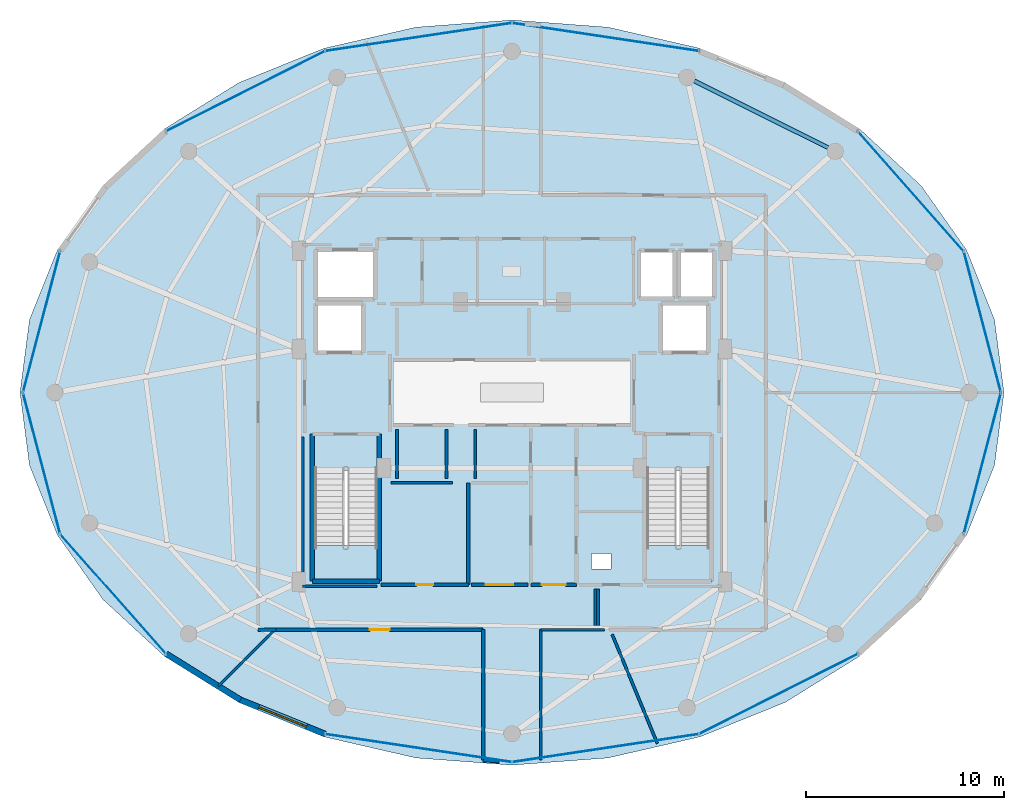
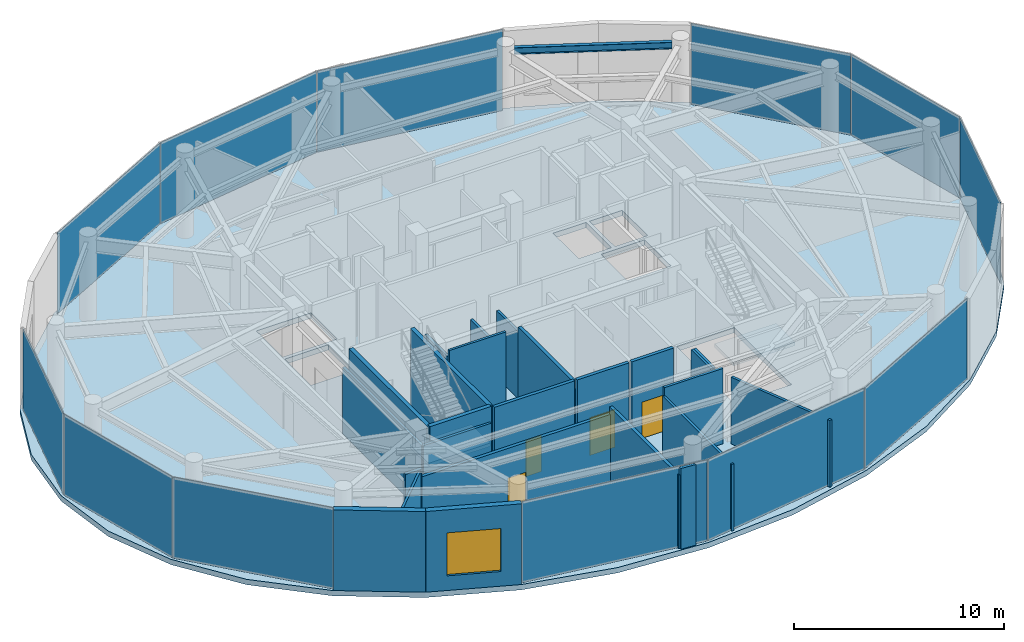
# One storey, part 19 of 24: 25 walls, 12 plates, 4 doors, 3 slabs, 1 beam, 1 window, 5 openings, 6 elements without a shape of their own.
"""IFC4 building model written with IfcOpenShell, lengths in metres."""

from ifc_helpers import new_model, si_unit, direction, frame, frame_2d, origin, origin_2d, place, context, subcontext, project, spatial, polyline, rectangle, i_section, outline, extrude, material, layer, layer_set, material_profile, profile_set, type_object, element, fill, aggregate, save


model = new_model("IFC4")

# Units and contexts
model_context = context("Model", 3, precision=1e-05, world=origin(), true_north=direction((0.0, 1.0)))
body_context = subcontext(model_context, "Body", "Model", "MODEL_VIEW")
ifc_project = project(units=[si_unit("LENGTHUNIT", "METRE"), si_unit("AREAUNIT", "SQUARE_METRE"), si_unit("VOLUMEUNIT", "CUBIC_METRE"), si_unit("PLANEANGLEUNIT", "RADIAN"), si_unit("MASSUNIT", "GRAM", prefix="KILO")], contexts=[model_context])

# Site, building, storey
site_placement = place(None, origin())
site = spatial("IfcSite", under=ifc_project, at=site_placement, CompositionType="ELEMENT")
building_placement = place(site_placement, origin())
building = spatial("IfcBuilding", under=site, at=building_placement, Name="Vorneva Point Tower", CompositionType="ELEMENT")
storey_placement = place(building_placement, frame((0.0, 0.0, 285.39990234375)))
storey = spatial("IfcBuildingStorey", under=building, at=storey_placement, Name="L77", CompositionType="ELEMENT", Elevation=285.39990234375)

# Beam
ifc_material_1 = material(Name="Steel S355", Category="steel")
ifc_material_profile = material_profile(ifc_material_1, i_section(OverallWidth=0.198974609375, OverallDepth=0.39599609375, WebThickness=0.007080078125, FlangeThickness=0.010986328125, at=origin_2d()), Name="40B1")
ifc_profile_set = profile_set([ifc_material_profile], Name="Steel S355")
beam_type = type_object("IfcBeamType", Name="BM-SPN-40B1", PredefinedType="SPANDREL", material=ifc_profile_set)
beam_placement = place(storey_placement, frame((53.931884765625, 38.34521484375, 4.4921875), z_axis=(-0.894932011528, 0.446202526599, 0.0), x_axis=(-0.446202526599, -0.894932011528, 0.0)))
element("IfcBeam", 1, at=beam_placement, inside=storey, type_object=beam_type, Name="L77 Perimeter Spandrel Ring Beam 03", PredefinedType="SPANDREL", context=body_context, shape_type="SweptSolid", body=[
    extrude(i_section(OverallWidth=0.198974609375, OverallDepth=0.39599609375, WebThickness=0.007080078125, FlangeThickness=0.010986328125, at=origin_2d()), origin(), (0.0, 0.0, 1.0), 7.535888671875),
])

# Curtain wall, plates
ifc_material_2 = material(Name="Pale anodised aluminium", Category="aluminium")
curtain_wall_type = type_object("IfcCurtainWallType", Name="CW-OBS-SYS", PredefinedType="NOTDEFINED", material=ifc_material_2)
curtain_wall_1_placement = place(storey_placement, origin())
curtain_wall_1 = element("IfcCurtainWall", 2, at=curtain_wall_1_placement, inside=storey, type_object=curtain_wall_type, Name="L77 Unitised Curtain Wall CW-L77-R01", PredefinedType="NOTDEFINED")
ifc_material_3 = material(Name="Double low-e laminated glass IGU", Category="glass")
ifc_layer_1 = layer(ifc_material_3, 0.035888671875)
ifc_layer_set_1 = layer_set([ifc_layer_1], Name="Double low-e laminated glass IGU")
plate_type = type_object("IfcPlateType", Name="CW-PNL-VIS", PredefinedType="CURTAIN_PANEL", material=ifc_layer_set_1)
plate_1_placement = place(storey_placement, frame((61.7119140625, 22.435302734375, -0.019775390625), z_axis=(0.0, 0.0, 1.0), x_axis=(0.254517556558, 0.967068153443, 0.0)))
plate_1 = element("IfcPlate", 3, at=plate_1_placement, type_object=plate_type, Name="CW-L77-R01 Glazed Panel 01", PredefinedType="CURTAIN_PANEL", context=body_context, shape_type="SweptSolid", body=[
    extrude(rectangle(XDim=7.322265625, YDim=0.035888671875, at=origin_2d()), origin(), (0.0, 0.0, 1.0), 4.72998046875),
])
plate_2_placement = place(storey_placement, frame((61.7119140625, 29.564697265625, -0.019775390625), z_axis=(0.0, 0.0, 1.0), x_axis=(-0.254517556558, 0.967068153443, 0.0)))
plate_2 = element("IfcPlate", 4, at=plate_2_placement, type_object=plate_type, Name="CW-L77-R01 Glazed Panel 02", PredefinedType="CURTAIN_PANEL", context=body_context, shape_type="SweptSolid", body=[
    extrude(rectangle(XDim=7.322265625, YDim=0.035888671875, at=origin_2d()), origin(), (0.0, 0.0, 1.0), 4.72998046875),
])
plate_3_placement = place(storey_placement, frame((58.101806640625, 36.1513671875, -0.019775390625), z_axis=(0.0, 0.0, 1.0), x_axis=(-0.662345497106, 0.74919853341, 0.0)))
plate_3 = element("IfcPlate", 5, at=plate_3_placement, type_object=plate_type, Name="CW-L77-R01 Glazed Panel 03", PredefinedType="CURTAIN_PANEL", context=body_context, shape_type="SweptSolid", body=[
    extrude(rectangle(XDim=8.017333984375, YDim=0.035888671875, at=origin_2d()), origin(), (0.0, 0.0, 1.0), 4.72998046875),
])
aggregate(curtain_wall_1, [plate_1, plate_2, plate_3])

curtain_wall_2_placement = place(storey_placement, origin())
curtain_wall_2 = element("IfcCurtainWall", 6, at=curtain_wall_2_placement, inside=storey, type_object=curtain_wall_type, Name="L77 Unitised Curtain Wall CW-L77-R02", PredefinedType="NOTDEFINED")
plate_4_placement = place(storey_placement, frame((42.716552734375, 43.9208984375, -0.019775390625), z_axis=(0.0, 0.0, 1.0), x_axis=(-0.988889093417, 0.148655174549, 0.0)))
plate_4 = element("IfcPlate", 7, at=plate_4_placement, type_object=plate_type, Name="CW-L77-R02 Glazed Panel 01", PredefinedType="CURTAIN_PANEL", context=body_context, shape_type="SweptSolid", body=[
    extrude(rectangle(XDim=9.489013671875, YDim=0.035888671875, at=origin_2d()), origin(), (0.0, 0.0, 1.0), 4.72998046875),
])
plate_5_placement = place(storey_placement, frame((33.283447265625, 43.9208984375, -0.019775390625), z_axis=(0.0, 0.0, 1.0), x_axis=(-0.988889093417, -0.148655174549, 0.0)))
plate_5 = element("IfcPlate", 8, at=plate_5_placement, type_object=plate_type, Name="CW-L77-R02 Glazed Panel 02", PredefinedType="CURTAIN_PANEL", context=body_context, shape_type="SweptSolid", body=[
    extrude(rectangle(XDim=9.489013671875, YDim=0.035888671875, at=origin_2d()), origin(), (0.0, 0.0, 1.0), 4.72998046875),
])
plate_6_placement = place(storey_placement, frame((24.568359375, 41.192626953125, -0.019775390625), z_axis=(0.0, 0.0, 1.0), x_axis=(-0.892633029344, -0.450784066849, 0.0)))
plate_6 = element("IfcPlate", 9, at=plate_6_placement, type_object=plate_type, Name="CW-L77-R02 Glazed Panel 03", PredefinedType="CURTAIN_PANEL", context=body_context, shape_type="SweptSolid", body=[
    extrude(rectangle(XDim=8.908935546875, YDim=0.035888671875, at=origin_2d()), origin(), (0.0, 0.0, 1.0), 4.72998046875),
])
aggregate(curtain_wall_2, [plate_4, plate_5, plate_6])

curtain_wall_3_placement = place(storey_placement, origin())
curtain_wall_3 = element("IfcCurtainWall", 10, at=curtain_wall_3_placement, inside=storey, type_object=curtain_wall_type, Name="L77 Unitised Curtain Wall CW-L77-R03", PredefinedType="NOTDEFINED")
plate_7_placement = place(storey_placement, frame((14.2880859375, 29.564697265625, -0.019775390625), z_axis=(0.0, 0.0, 1.0), x_axis=(-0.254517556558, -0.967068153443, 0.0)))
plate_7 = element("IfcPlate", 11, at=plate_7_placement, type_object=plate_type, Name="CW-L77-R03 Glazed Panel 01", PredefinedType="CURTAIN_PANEL", context=body_context, shape_type="SweptSolid", body=[
    extrude(rectangle(XDim=7.322265625, YDim=0.035888671875, at=origin_2d()), origin(), (0.0, 0.0, 1.0), 4.72998046875),
])
plate_8_placement = place(storey_placement, frame((14.2880859375, 22.435302734375, -0.019775390625), z_axis=(0.0, 0.0, 1.0), x_axis=(0.254517556558, -0.967068153443, 0.0)))
plate_8 = element("IfcPlate", 12, at=plate_8_placement, type_object=plate_type, Name="CW-L77-R03 Glazed Panel 02", PredefinedType="CURTAIN_PANEL", context=body_context, shape_type="SweptSolid", body=[
    extrude(rectangle(XDim=7.322265625, YDim=0.035888671875, at=origin_2d()), origin(), (0.0, 0.0, 1.0), 4.72998046875),
])
plate_9_placement = place(storey_placement, frame((17.898193359375, 15.8486328125, -0.019775390625), z_axis=(0.0, 0.0, 1.0), x_axis=(0.662345497106, -0.74919853341, 0.0)))
plate_9 = element("IfcPlate", 13, at=plate_9_placement, type_object=plate_type, Name="CW-L77-R03 Glazed Panel 03", PredefinedType="CURTAIN_PANEL", context=body_context, shape_type="SweptSolid", body=[
    extrude(rectangle(XDim=8.017333984375, YDim=0.035888671875, at=origin_2d()), origin(), (0.0, 0.0, 1.0), 4.72998046875),
])
aggregate(curtain_wall_3, [plate_7, plate_8, plate_9])

curtain_wall_4_placement = place(storey_placement, origin())
curtain_wall_4 = element("IfcCurtainWall", 14, at=curtain_wall_4_placement, inside=storey, type_object=curtain_wall_type, Name="L77 Unitised Curtain Wall CW-L77-R04", PredefinedType="NOTDEFINED")
plate_10_placement = place(storey_placement, frame((33.283447265625, 8.0791015625, -0.019775390625), z_axis=(0.0, 0.0, 1.0), x_axis=(0.988889093417, -0.148655174549, 0.0)))
plate_10 = element("IfcPlate", 15, at=plate_10_placement, type_object=plate_type, Name="CW-L77-R04 Glazed Panel 01", PredefinedType="CURTAIN_PANEL", context=body_context, shape_type="SweptSolid", body=[
    extrude(rectangle(XDim=9.489013671875, YDim=0.035888671875, at=origin_2d()), origin(), (0.0, 0.0, 1.0), 4.72998046875),
])
plate_11_placement = place(storey_placement, frame((42.716552734375, 8.0791015625, -0.019775390625), z_axis=(0.0, 0.0, 1.0), x_axis=(0.988889093417, 0.148655174549, 0.0)))
plate_11 = element("IfcPlate", 16, at=plate_11_placement, type_object=plate_type, Name="CW-L77-R04 Glazed Panel 02", PredefinedType="CURTAIN_PANEL", context=body_context, shape_type="SweptSolid", body=[
    extrude(rectangle(XDim=9.489013671875, YDim=0.035888671875, at=origin_2d()), origin(), (0.0, 0.0, 1.0), 4.72998046875),
])
plate_12_placement = place(storey_placement, frame((51.431640625, 10.807373046875, -0.019775390625), z_axis=(0.0, 0.0, 1.0), x_axis=(0.892633029344, 0.450784066849, 0.0)))
plate_12 = element("IfcPlate", 17, at=plate_12_placement, type_object=plate_type, Name="CW-L77-R04 Glazed Panel 03", PredefinedType="CURTAIN_PANEL", context=body_context, shape_type="SweptSolid", body=[
    extrude(rectangle(XDim=8.908935546875, YDim=0.035888671875, at=origin_2d()), origin(), (0.0, 0.0, 1.0), 4.72998046875),
])
aggregate(curtain_wall_4, [plate_10, plate_11, plate_12])

# Stair, slab
ifc_material_4 = material(Name="Concrete B50 (C40/50)", Category="concrete")
stair_type = type_object("IfcStairType", Name="ST-DOG-1500", PredefinedType="HALF_TURN_STAIR", material=ifc_material_4)
stair_1_placement = place(storey_placement, origin())
stair_1 = element("IfcStair", 18, at=stair_1_placement, inside=storey, type_object=stair_type, Name="L77 ST1", PredefinedType="HALF_TURN_STAIR")
ifc_layer_2 = layer(ifc_material_4, 0.199951171875)
ifc_layer_set_2 = layer_set([ifc_layer_2], Name="Concrete B50 (C40/50)")
slab_type_1 = type_object("IfcSlabType", Name="SLB-LND-200", PredefinedType="LANDING", material=ifc_layer_set_2)
slab_1_placement = place(storey_placement, frame((0.0, 0.0, 2.300048828125)))
slab_1 = element("IfcSlab", 19, at=slab_1_placement, type_object=slab_type_1, Name="ST1 landing 1", PredefinedType="LANDING", context=body_context, shape_type="SweptSolid", body=[
    extrude(outline(polyline([(27.929931640625, 16.47998046875), (31.320068359375, 16.47998046875), (31.320068359375, 18.280029296875), (27.929931640625, 18.280029296875), (27.929931640625, 16.47998046875)])), origin(), (0.0, 0.0, 1.0), 0.199951171875),
])
aggregate(stair_1, [slab_1])

stair_2_placement = place(storey_placement, origin())
stair_2 = element("IfcStair", 20, at=stair_2_placement, inside=storey, type_object=stair_type, Name="L77 ST2", PredefinedType="HALF_TURN_STAIR")
slab_2_placement = place(storey_placement, frame((0.0, 0.0, 2.300048828125)))
slab_2 = element("IfcSlab", 21, at=slab_2_placement, type_object=slab_type_1, Name="ST2 landing 1", PredefinedType="LANDING", context=body_context, shape_type="SweptSolid", body=[
    extrude(outline(polyline([(44.679931640625, 16.47998046875), (48.070068359375, 16.47998046875), (48.070068359375, 18.280029296875), (44.679931640625, 18.280029296875), (44.679931640625, 16.47998046875)])), origin(), (0.0, 0.0, 1.0), 0.199951171875),
])
aggregate(stair_2, [slab_2])

# Slab
ifc_layer_3 = layer(ifc_material_4, 0.31005859375)
ifc_layer_set_3 = layer_set([ifc_layer_3], Name="Concrete B50 (C40/50)")
slab_type_2 = type_object("IfcSlabType", Name="SLB-OBS-310", PredefinedType="FLOOR", material=ifc_layer_set_3)
slab_3_placement = place(storey_placement, frame((0.0, 0.0, -0.309814453125)))
element("IfcSlab", 22, at=slab_3_placement, inside=storey, type_object=slab_type_2, Name="L77 Structural Floor Plate", PredefinedType="FLOOR", context=body_context, shape_type="SweptSolid", body=[
    extrude(outline(polyline([(62.800048828125, 26.0), (62.323486328125, 29.663818359375), (60.912109375, 33.186767578125), (58.620361328125, 36.43359375), (55.5361328125, 39.279541015625), (51.778076171875, 41.614990234375), (47.490478515625, 43.3505859375), (42.838134765625, 44.419189453125), (38.0, 44.780029296875), (33.161865234375, 44.419189453125), (28.509521484375, 43.3505859375), (24.221923828125, 41.614990234375), (20.4638671875, 39.279541015625), (17.379638671875, 36.43359375), (15.087890625, 33.186767578125), (13.676513671875, 29.663818359375), (13.199951171875, 26.0), (13.676513671875, 22.336181640625), (15.087890625, 18.813232421875), (17.379638671875, 15.56640625), (20.4638671875, 12.720458984375), (24.221923828125, 10.385009765625), (28.509521484375, 8.6494140625), (33.161865234375, 7.580810546875), (38.0, 7.219970703125), (42.838134765625, 7.580810546875), (47.490478515625, 8.6494140625), (51.778076171875, 10.385009765625), (55.5361328125, 12.720458984375), (58.620361328125, 15.56640625), (60.912109375, 18.813232421875), (62.323486328125, 22.336181640625), (62.800048828125, 26.0)]), holes=[polyline([(44.39990234375, 30.739990234375), (46.199951171875, 30.739990234375), (46.199951171875, 33.159912109375), (44.39990234375, 33.159912109375), (44.39990234375, 30.739990234375)]), polyline([(46.39990234375, 30.739990234375), (48.199951171875, 30.739990234375), (48.199951171875, 33.159912109375), (46.39990234375, 33.159912109375), (46.39990234375, 30.739990234375)]), polyline([(28.10009765625, 28.0), (30.5, 28.0), (30.5, 30.5), (28.10009765625, 30.5), (28.10009765625, 28.0)]), polyline([(45.5, 28.0), (47.89990234375, 28.0), (47.89990234375, 30.5), (45.5, 30.5), (45.5, 28.0)]), polyline([(28.10009765625, 30.699951171875), (31.10009765625, 30.699951171875), (31.10009765625, 33.199951171875), (28.10009765625, 33.199951171875), (28.10009765625, 30.699951171875)]), polyline([(28.050048828125, 16.60009765625), (31.199951171875, 16.60009765625), (31.199951171875, 22.080078125), (28.050048828125, 22.080078125), (28.050048828125, 16.60009765625)]), polyline([(44.800048828125, 16.60009765625), (47.949951171875, 16.60009765625), (47.949951171875, 22.080078125), (44.800048828125, 22.080078125), (44.800048828125, 16.60009765625)]), polyline([(42.0, 17.10009765625), (43.0, 17.10009765625), (43.0, 17.89990234375), (42.0, 17.89990234375), (42.0, 17.10009765625)])]), origin(), (0.0, 0.0, 1.0), 0.309814453125),
])

# Wall
ifc_material_5 = material(Name="Precast concrete B50 (C40/50)", Category="concrete")
ifc_layer_4 = layer(ifc_material_5, 0.300048828125)
ifc_layer_set_4 = layer_set([ifc_layer_4], Name="Precast concrete B50 (C40/50)")
wall_type_1 = type_object("IfcWallType", Name="WL-EXT-300", PredefinedType="STANDARD", material=ifc_layer_set_4)
wall_1_placement = place(storey_placement, frame((20.56982421875, 12.82666015625, 0.0), z_axis=(0.0, 0.0, 1.0), x_axis=(0.849803177952, -0.527100141096, 0.0)))
element("IfcWall", 23, at=wall_1_placement, inside=storey, type_object=wall_type_1, Name="L77 Pale-Metal Facade Spandrel Wall 11.1", PredefinedType="STANDARD", context=body_context, shape_type="SweptSolid", body=[
    extrude(rectangle(XDim=4.3955078125, YDim=0.300048828125, at=frame_2d((2.19775390625, 0.0))), origin(), (0.0, 0.0, 1.0), 4.690185546875),
])

# Wall, opening, window
wall_2_placement = place(storey_placement, frame((24.30517578125, 10.509765625, 0.0), z_axis=(0.0, 0.0, 1.0), x_axis=(0.927196432407, -0.374575460663, 0.0)))
wall_2 = element("IfcWall", 24, at=wall_2_placement, inside=storey, type_object=wall_type_1, Name="L77 Pale-Metal Facade Spandrel Wall 11.2", PredefinedType="STANDARD", context=body_context, shape_type="SweptSolid", body=[
    extrude(rectangle(XDim=4.596435546875, YDim=0.300048828125, at=frame_2d((2.29833984375, 0.0))), origin(), (0.0, 0.0, 1.0), 4.690185546875),
])
opening_1_placement = place(wall_2_placement, frame((0.998291015625, 0.0, 0.85009765625)))
opening_1 = element("IfcOpeningElement", 25, at=opening_1_placement, cuts=wall_2, Name="Opening W-06", PredefinedType="OPENING", context=body_context, shape_type="SweptSolid", body=[
    extrude(rectangle(XDim=2.60009765625, YDim=2.5, at=frame_2d((1.300048828125, 1.25))), frame((0.0, 0.1650390625, 0.0), z_axis=(0.0, -1.0, 0.0), x_axis=(1.0, 0.0, 0.0)), (0.0, 0.0, 1.0), 0.329833984375),
])
window_type = type_object("IfcWindowType", Name="WN-OBS-2600", PartitioningType="SINGLE_PANEL", PredefinedType="WINDOW", material=ifc_material_3)
window_placement = place(opening_1_placement, origin())
window = element("IfcWindow", 26, at=window_placement, inside=storey, type_object=window_type, Name="L77 Facade Window 11", OverallHeight=2.5, OverallWidth=2.60009765625, PartitioningType="SINGLE_PANEL", PredefinedType="WINDOW", context=body_context, shape_type="SweptSolid", body=[
    extrude(rectangle(XDim=2.60009765625, YDim=2.5, at=frame_2d((1.300048828125, 1.25))), frame((0.0, 0.030029296875, 0.0), z_axis=(0.0, -1.0, 0.0), x_axis=(1.0, 0.0, 0.0)), (0.0, 0.0, 1.0), 0.06005859375),
])
fill(opening_1, window)

# Walls
ifc_material_6 = material(Name="Fire-rated acoustic gypsum stud partition", Category="gypsum")
ifc_layer_5 = layer(ifc_material_6, 0.125)
ifc_layer_set_5 = layer_set([ifc_layer_5], Name="Fire-rated acoustic gypsum stud partition")
wall_type_2 = type_object("IfcWallType", Name="WL-PART-125", PredefinedType="PARTITIONING", material=ifc_layer_set_5)
wall_3_placement = place(storey_placement, frame((35.0048828125, 21.449951171875, 0.0), z_axis=(0.0, 0.0, 1.0), x_axis=(-1.0, 0.0, 0.0)))
element("IfcWall", 27, at=wall_3_placement, inside=storey, type_object=wall_type_2, Name="L77 Interior Partition 031", PredefinedType="PARTITIONING", context=body_context, shape_type="SweptSolid", body=[
    extrude(rectangle(XDim=3.10986328125, YDim=0.125, at=frame_2d((1.554931640625, 0.0))), origin(), (0.0, 0.0, 1.0), 4.690185546875),
])
wall_4_placement = place(storey_placement, frame((23.197998046875, 11.197998046875, 0.0), z_axis=(0.0, 0.0, 1.0), x_axis=(0.707106781187, 0.707106781187, 0.0)))
element("IfcWall", 28, at=wall_4_placement, inside=storey, type_object=wall_type_2, Name="L77 Interior Partition 048", PredefinedType="PARTITIONING", context=body_context, shape_type="SweptSolid", body=[
    extrude(rectangle(XDim=4.033447265625, YDim=0.125, at=frame_2d((2.0166015625, 0.0))), origin(), (0.0, 0.0, 1.0), 4.274169921875),
])
ifc_layer_6 = layer(ifc_material_6, 0.139892578125)
ifc_layer_set_6 = layer_set([ifc_layer_6], Name="Fire-rated acoustic gypsum stud partition")
wall_type_3 = type_object("IfcWallType", Name="WL-PART-140", PredefinedType="PARTITIONING", material=ifc_layer_set_6)
for number, where, z_axis, x_axis, name in (
    (29, (32.199951171875, 24.1298828125, 0.0), (0.0, 0.0, 1.0), (0.0, -1.0, 0.0), "L77 Interior Closure Partition 057"),
    (30, (34.699951171875, 21.669921875, 0.0), (0.0, 0.0, 1.0), (0.0, 1.0, 0.0), "L77 Interior Closure Partition 058"),
    (31, (36.14990234375, 24.1298828125, 0.0), (0.0, 0.0, 1.0), (0.0, -1.0, 0.0), "L77 Interior Closure Partition 059"),
):
    element("IfcWall", number, at=place(storey_placement, frame(where, z_axis=z_axis, x_axis=x_axis)), inside=storey, type_object=wall_type_3, Name=name, PredefinedType="PARTITIONING", context=body_context, shape_type="SweptSolid", body=[
        extrude(rectangle(XDim=2.4599609375, YDim=0.139892578125, at=frame_2d((1.22998046875, 0.0))), origin(), (0.0, 0.0, 1.0), 3.882080078125),
    ])
wall_5_placement = place(storey_placement, frame((39.449951171875, 7.47900390625, 0.0), z_axis=(0.0, 0.0, 1.0), x_axis=(0.0, 1.0, 0.0)))
element("IfcWall", 32, at=wall_5_placement, inside=storey, type_object=wall_type_3, Name="L77 Interior Closure Partition 062", PredefinedType="PARTITIONING", context=body_context, shape_type="SweptSolid", body=[
    extrude(rectangle(XDim=6.571044921875, YDim=0.139892578125, at=frame_2d((3.28564453125, 0.0))), origin(), (0.0, 0.0, 1.0), 3.882080078125),
])
wall_6_placement = place(storey_placement, frame((39.449951171875, 14.050048828125, 0.0), z_axis=(0.0, 0.0, 1.0), x_axis=(1.0, 0.0, 0.0)))
element("IfcWall", 33, at=wall_6_placement, inside=storey, type_object=wall_type_3, Name="L77 Interior Closure Partition 063", PredefinedType="PARTITIONING", context=body_context, shape_type="SweptSolid", body=[
    extrude(rectangle(XDim=3.219970703125, YDim=0.139892578125, at=frame_2d((1.60986328125, 0.0))), origin(), (0.0, 0.0, 1.0), 4.379150390625),
])
wall_7_placement = place(storey_placement, frame((42.340087890625, 14.25, 0.0), z_axis=(0.0, 0.0, 1.0), x_axis=(0.0, 1.0, 0.0)))
element("IfcWall", 34, at=wall_7_placement, inside=storey, type_object=wall_type_3, Name="L77 Interior Closure Partition 064", PredefinedType="PARTITIONING", context=body_context, shape_type="SweptSolid", body=[
    extrude(rectangle(XDim=1.85009765625, YDim=0.139892578125, at=frame_2d((0.925048828125, 0.0))), origin(), (0.0, 0.0, 1.0), 4.379150390625),
])
wall_8_placement = place(storey_placement, frame((27.449951171875, 23.75390625, 0.0), z_axis=(0.0, 0.0, 1.0), x_axis=(0.0, -1.0, 0.0)))
element("IfcWall", 35, at=wall_8_placement, inside=storey, type_object=wall_type_3, Name="L77 Interior Closure Partition 073", PredefinedType="PARTITIONING", context=body_context, shape_type="SweptSolid", body=[
    extrude(rectangle(XDim=7.513916015625, YDim=0.139892578125, at=frame_2d((3.7568359375, 0.0))), origin(), (0.0, 0.0, 1.0), 3.882080078125),
])
wall_9_placement = place(storey_placement, frame((27.449951171875, 16.239990234375, 0.0), z_axis=(0.0, 0.0, 1.0), x_axis=(1.0, 0.0, 0.0)))
element("IfcWall", 36, at=wall_9_placement, inside=storey, type_object=wall_type_3, Name="L77 Interior Closure Partition 074", PredefinedType="PARTITIONING", context=body_context, shape_type="SweptSolid", body=[
    extrude(rectangle(XDim=3.7451171875, YDim=0.139892578125, at=frame_2d((1.87255859375, 0.0))), origin(), (0.0, 0.0, 1.0), 3.882080078125),
])
wall_10_placement = place(storey_placement, frame((42.199951171875, 16.10009765625, 0.0), z_axis=(0.0, 0.0, 1.0), x_axis=(0.0, -1.0, 0.0)))
element("IfcWall", 37, at=wall_10_placement, inside=storey, type_object=wall_type_3, Name="L77 Interior Closure Partition 075", PredefinedType="PARTITIONING", context=body_context, shape_type="SweptSolid", body=[
    extrude(rectangle(XDim=1.85009765625, YDim=0.139892578125, at=frame_2d((0.925048828125, 0.0))), origin(), (0.0, 0.0, 1.0), 4.379150390625),
])
wall_11_placement = place(storey_placement, frame((43.050048828125, 13.80908203125, 0.0), z_axis=(0.0, 0.0, 1.0), x_axis=(0.382678846666, -0.923881431957, 0.0)))
element("IfcWall", 38, at=wall_11_placement, inside=storey, type_object=wall_type_3, Name="L77 Interior Closure Partition 077", PredefinedType="PARTITIONING", context=body_context, shape_type="SweptSolid", body=[
    extrude(rectangle(XDim=5.95556640625, YDim=0.139892578125, at=frame_2d((2.977783203125, 0.0))), origin(), (0.0, 0.0, 1.0), 3.882080078125),
])

# Wall, opening, door
ifc_material_7 = material(Name="Autoclaved aerated concrete blockwork", Category="masonry")
ifc_layer_7 = layer(ifc_material_7, 0.179931640625)
ifc_layer_set_7 = layer_set([ifc_layer_7], Name="Autoclaved aerated concrete blockwork")
wall_type_4 = type_object("IfcWallType", Name="WL-PART-180", PredefinedType="PARTITIONING", material=ifc_layer_set_7)
wall_12_placement = place(storey_placement, frame((38.949951171875, 16.320068359375, 0.0), z_axis=(0.0, 0.0, 1.0), x_axis=(1.0, 0.0, 0.0)))
wall_12 = element("IfcWall", 39, at=wall_12_placement, inside=storey, type_object=wall_type_4, Name="L77 Interior Partition 019", PredefinedType="PARTITIONING", context=body_context, shape_type="SweptSolid", body=[
    extrude(rectangle(XDim=2.300048828125, YDim=0.179931640625, at=frame_2d((1.14990234375, 0.0))), origin(), (0.0, 0.0, 1.0), 4.690185546875),
])
opening_2_placement = place(wall_12_placement, frame((0.550048828125, 0.0, 0.0)))
opening_2 = element("IfcOpeningElement", 40, at=opening_2_placement, cuts=wall_12, Name="Opening FD-02", PredefinedType="OPENING", context=body_context, shape_type="SweptSolid", body=[
    extrude(rectangle(XDim=1.199951171875, YDim=2.14990234375, at=frame_2d((0.60009765625, 1.074951171875))), frame((0.0, 0.10498046875, 0.0), z_axis=(0.0, -1.0, 0.0), x_axis=(1.0, 0.0, 0.0)), (0.0, 0.0, 1.0), 0.209716796875),
])
ifc_material_8 = material(Name="Fire-rated powder-coated steel", Category="steel")
door_type_1 = type_object("IfcDoorType", Name="DR-FFL-1200", OperationType="NOTDEFINED", PredefinedType="DOOR", material=ifc_material_8)
door_1_placement = place(opening_2_placement, origin())
door_1 = element("IfcDoor", 41, at=door_1_placement, inside=storey, type_object=door_type_1, Name="L77 Door Core Service Lobby / L77 Circulation Corridor", OperationType="SINGLE_SWING_RIGHT", OverallHeight=2.14990234375, OverallWidth=1.199951171875, PredefinedType="DOOR", context=body_context, shape_type="SweptSolid", body=[
    extrude(rectangle(XDim=1.199951171875, YDim=2.14990234375, at=frame_2d((0.60009765625, 1.074951171875))), frame((0.0, 0.02490234375, 0.0), z_axis=(0.0, -1.0, 0.0), x_axis=(1.0, 0.0, 0.0)), (0.0, 0.0, 1.0), 0.050048828125),
])
fill(opening_2, door_1)

# Wall
wall_13_placement = place(storey_placement, frame((35.800048828125, 16.320068359375, 0.0), z_axis=(0.0, 0.0, 1.0), x_axis=(0.0, 1.0, 0.0)))
element("IfcWall", 42, at=wall_13_placement, inside=storey, type_object=wall_type_4, Name="L77 Interior Partition 030", PredefinedType="PARTITIONING", context=body_context, shape_type="SweptSolid", body=[
    extrude(rectangle(XDim=5.1298828125, YDim=0.179931640625, at=frame_2d((2.56494140625, 0.0))), origin(), (0.0, 0.0, 1.0), 4.690185546875),
])

# Wall, opening, door
wall_14_placement = place(storey_placement, frame((31.39990234375, 16.320068359375, 0.0), z_axis=(0.0, 0.0, 1.0), x_axis=(1.0, 0.0, 0.0)))
wall_14 = element("IfcWall", 43, at=wall_14_placement, inside=storey, type_object=wall_type_4, Name="L77 Interior Partition 032", PredefinedType="PARTITIONING", context=body_context, shape_type="SweptSolid", body=[
    extrude(rectangle(XDim=4.400146484375, YDim=0.179931640625, at=frame_2d((2.2001953125, 0.0))), origin(), (0.0, 0.0, 1.0), 4.690185546875),
])
opening_3_placement = place(wall_14_placement, frame((1.77490234375, 0.0, 0.0)))
opening_3 = element("IfcOpeningElement", 44, at=opening_3_placement, cuts=wall_14, Name="Opening ID-02", PredefinedType="OPENING", context=body_context, shape_type="SweptSolid", body=[
    extrude(rectangle(XDim=0.85009765625, YDim=2.10009765625, at=frame_2d((0.425048828125, 1.050048828125))), frame((0.0, 0.10498046875, 0.0), z_axis=(0.0, -1.0, 0.0), x_axis=(1.0, 0.0, 0.0)), (0.0, 0.0, 1.0), 0.209716796875),
])
ifc_material_9 = material(Name="Engineered oak fire-rated door leaf", Category="wood")
door_type_2 = type_object("IfcDoorType", Name="DR-BATH-850", OperationType="NOTDEFINED", PredefinedType="DOOR", material=ifc_material_9)
door_2_placement = place(opening_3_placement, origin())
door_2 = element("IfcDoor", 45, at=door_2_placement, inside=storey, type_object=door_type_2, Name="L77 Door Bicycle Gear Store / L77 Circulation Corridor", OperationType="SINGLE_SWING_LEFT", OverallHeight=2.10009765625, OverallWidth=0.85009765625, PredefinedType="DOOR", context=body_context, shape_type="SweptSolid", body=[
    extrude(rectangle(XDim=0.85009765625, YDim=2.10009765625, at=frame_2d((0.425048828125, 1.050048828125))), frame((0.0, 0.02490234375, 0.0), z_axis=(0.0, -1.0, 0.0), x_axis=(1.0, 0.0, 0.0)), (0.0, 0.0, 1.0), 0.050048828125),
])
fill(opening_3, door_2)

wall_15_placement = place(storey_placement, frame((35.949951171875, 16.320068359375, 0.0), z_axis=(0.0, 0.0, 1.0), x_axis=(1.0, 0.0, 0.0)))
wall_15 = element("IfcWall", 46, at=wall_15_placement, inside=storey, type_object=wall_type_4, Name="L77 Interior Partition 034", PredefinedType="PARTITIONING", context=body_context, shape_type="SweptSolid", body=[
    extrude(rectangle(XDim=2.85009765625, YDim=0.179931640625, at=frame_2d((1.425048828125, 0.0))), origin(), (0.0, 0.0, 1.0), 4.690185546875),
])
opening_4_placement = place(wall_15_placement, frame((0.72509765625, 0.0, 0.0)))
opening_4 = element("IfcOpeningElement", 47, at=opening_4_placement, cuts=wall_15, Name="Opening FD-03", PredefinedType="OPENING", context=body_context, shape_type="SweptSolid", body=[
    extrude(rectangle(XDim=1.39990234375, YDim=2.199951171875, at=frame_2d((0.699951171875, 1.10009765625))), frame((0.0, 0.10498046875, 0.0), z_axis=(0.0, -1.0, 0.0), x_axis=(1.0, 0.0, 0.0)), (0.0, 0.0, 1.0), 0.209716796875),
])
door_type_3 = type_object("IfcDoorType", Name="DR-PLT-1400", OperationType="DOUBLE_SWING_LEFT", PredefinedType="DOOR", material=ifc_material_8)
door_3_placement = place(opening_4_placement, origin())
door_3 = element("IfcDoor", 48, at=door_3_placement, inside=storey, type_object=door_type_3, Name="L77 Door Telecoms and Data Room / L77 Circulation Corridor", OperationType="DOUBLE_SWING_LEFT", OverallHeight=2.199951171875, OverallWidth=1.39990234375, PredefinedType="DOOR", context=body_context, shape_type="SweptSolid", body=[
    extrude(rectangle(XDim=1.39990234375, YDim=2.199951171875, at=frame_2d((0.699951171875, 1.10009765625))), frame((0.0, 0.02490234375, 0.0), z_axis=(0.0, -1.0, 0.0), x_axis=(1.0, 0.0, 0.0)), (0.0, 0.0, 1.0), 0.050048828125),
])
fill(opening_4, door_3)

# Wall
wall_16_placement = place(storey_placement, frame((25.199951171875, 14.050048828125, 0.0), z_axis=(0.0, 0.0, 1.0), x_axis=(1.0, 0.0, 0.0)))
element("IfcWall", 49, at=wall_16_placement, inside=storey, type_object=wall_type_4, Name="L77 Interior Partition 041", PredefinedType="PARTITIONING", context=body_context, shape_type="SweptSolid", body=[
    extrude(rectangle(XDim=0.91015625, YDim=0.179931640625, at=frame_2d((0.455078125, 0.0))), origin(), (0.0, 0.0, 1.0), 4.336181640625),
])

# Wall, opening, door
wall_17_placement = place(storey_placement, frame((26.110107421875, 14.050048828125, 0.0), z_axis=(0.0, 0.0, 1.0), x_axis=(1.0, 0.0, 0.0)))
wall_17 = element("IfcWall", 50, at=wall_17_placement, inside=storey, type_object=wall_type_4, Name="L77 Interior Partition 042", PredefinedType="PARTITIONING", context=body_context, shape_type="SweptSolid", body=[
    extrude(rectangle(XDim=10.43994140625, YDim=0.179931640625, at=frame_2d((5.219970703125, 0.0))), origin(), (0.0, 0.0, 1.0), 3.882080078125),
])
opening_5_placement = place(wall_17_placement, frame((4.719970703125, 0.0, 0.0)))
opening_5 = element("IfcOpeningElement", 51, at=opening_5_placement, cuts=wall_17, Name="Opening UD-01", PredefinedType="OPENING", context=body_context, shape_type="SweptSolid", body=[
    extrude(rectangle(XDim=1.0, YDim=2.14990234375, at=frame_2d((0.5, 1.074951171875))), frame((0.0, 0.10498046875, 0.0), z_axis=(0.0, -1.0, 0.0), x_axis=(1.0, 0.0, 0.0)), (0.0, 0.0, 1.0), 0.209716796875),
])
door_type_4 = type_object("IfcDoorType", Name="DR-UNIT-1000", OperationType="NOTDEFINED", PredefinedType="DOOR", material=ifc_material_9)
door_4_placement = place(opening_5_placement, origin())
door_4 = element("IfcDoor", 52, at=door_4_placement, inside=storey, type_object=door_type_4, Name="L77 Door L77 Circulation Corridor / Exhibition Gallery and Gift Shop", OperationType="SINGLE_SWING_LEFT", OverallHeight=2.14990234375, OverallWidth=1.0, PredefinedType="DOOR", context=body_context, shape_type="SweptSolid", body=[
    extrude(rectangle(XDim=1.0, YDim=2.14990234375, at=frame_2d((0.5, 1.074951171875))), frame((0.0, 0.02490234375, 0.0), z_axis=(0.0, -1.0, 0.0), x_axis=(1.0, 0.0, 0.0)), (0.0, 0.0, 1.0), 0.050048828125),
])
fill(opening_5, door_4)

# Walls
wall_18_placement = place(storey_placement, frame((36.550048828125, 14.050048828125, 0.0), z_axis=(0.0, 0.0, 1.0), x_axis=(0.0, -1.0, 0.0)))
element("IfcWall", 53, at=wall_18_placement, inside=storey, type_object=wall_type_4, Name="L77 Interior Partition 043", PredefinedType="PARTITIONING", context=body_context, shape_type="SweptSolid", body=[
    extrude(rectangle(XDim=6.571044921875, YDim=0.179931640625, at=frame_2d((3.28564453125, 0.0))), origin(), (0.0, 0.0, 1.0), 4.274169921875),
])
wall_19_placement = place(storey_placement, frame((36.550048828125, 7.47900390625, 0.0), z_axis=(0.0, 0.0, 1.0), x_axis=(0.997215374878, -0.074575439036, 0.0)))
element("IfcWall", 54, at=wall_19_placement, inside=storey, type_object=wall_type_4, Name="L77 Interior Partition 044", PredefinedType="PARTITIONING", context=body_context, shape_type="SweptSolid", body=[
    extrude(rectangle(XDim=0.792236328125, YDim=0.179931640625, at=frame_2d((0.39599609375, 0.0))), origin(), (0.0, 0.0, 1.0), 4.690185546875),
])
ifc_layer_8 = layer(ifc_material_4, 0.219970703125)
ifc_layer_set_8 = layer_set([ifc_layer_8], Name="Concrete B50 (C40/50)")
wall_type_5 = type_object("IfcWallType", Name="WL-SHFT-220", PredefinedType="SOLIDWALL", material=ifc_layer_set_8)
wall_20_placement = place(storey_placement, frame((31.31005859375, 23.909912109375, 0.0), z_axis=(0.0, 0.0, 1.0), x_axis=(0.0, -1.0, 0.0)))
element("IfcWall", 55, at=wall_20_placement, inside=storey, type_object=wall_type_5, Name="L77 Exit Stair ST1 Shaft Wall right", PredefinedType="SOLIDWALL", context=body_context, shape_type="SweptSolid", body=[
    extrude(rectangle(XDim=7.419921875, YDim=0.219970703125, at=frame_2d((3.7099609375, 0.0))), origin(), (0.0, 0.0, 1.0), 4.690185546875),
])
wall_21_placement = place(storey_placement, frame((31.31005859375, 16.489990234375, 0.0), z_axis=(0.0, 0.0, 1.0), x_axis=(-1.0, 0.0, 0.0)))
element("IfcWall", 56, at=wall_21_placement, inside=storey, type_object=wall_type_5, Name="L77 Exit Stair ST1 Shaft Wall far", PredefinedType="SOLIDWALL", context=body_context, shape_type="SweptSolid", body=[
    extrude(rectangle(XDim=3.3701171875, YDim=0.219970703125, at=frame_2d((1.68505859375, 0.0))), origin(), (0.0, 0.0, 1.0), 4.690185546875),
])
wall_22_placement = place(storey_placement, frame((27.93994140625, 16.489990234375, 0.0), z_axis=(0.0, 0.0, 1.0), x_axis=(0.0, 1.0, 0.0)))
element("IfcWall", 57, at=wall_22_placement, inside=storey, type_object=wall_type_5, Name="L77 Exit Stair ST1 Shaft Wall left", PredefinedType="SOLIDWALL", context=body_context, shape_type="SweptSolid", body=[
    extrude(rectangle(XDim=7.419921875, YDim=0.219970703125, at=frame_2d((3.7099609375, 0.0))), origin(), (0.0, 0.0, 1.0), 4.690185546875),
])

save(model, "model.ifc")
